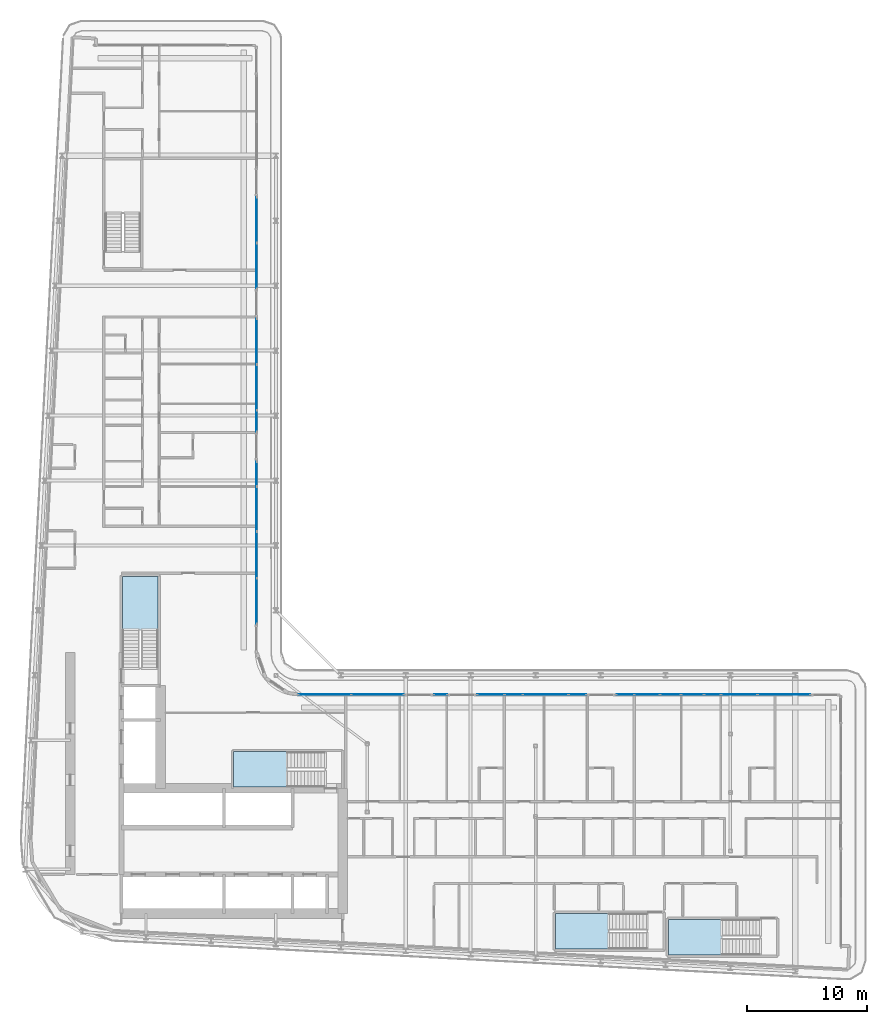
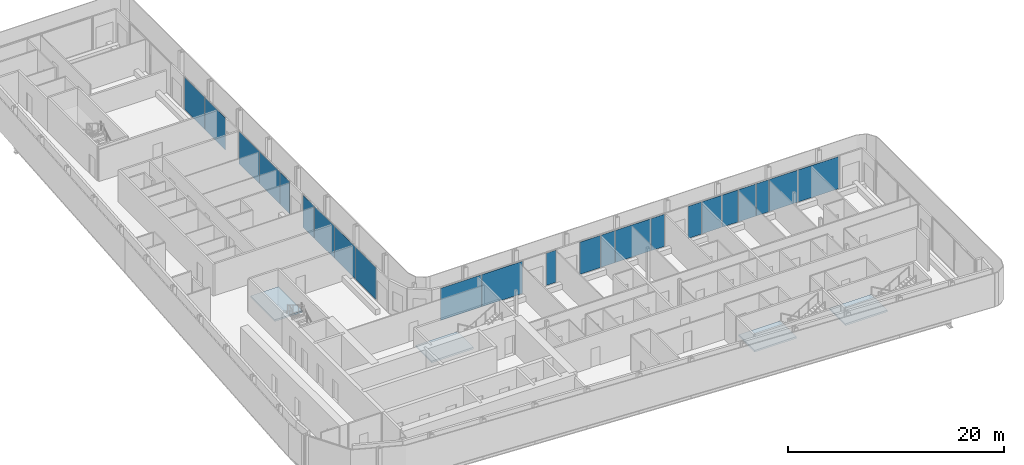
# One storey, part 12 of 30: 23 plates, 4 slabs, 15 elements without a shape of their own.
"""IFC4 building model written with IfcOpenShell, lengths in metres."""

from ifc_helpers import new_model, si_unit, direction, frame, origin, origin_2d, place, context, subcontext, project, spatial, polyline, rectangle, outline, extrude, material, layer, layer_set, type_object, element, aggregate, save


model = new_model("IFC4")

# Units and contexts
model_context = context("Model", 3, precision=1e-05, world=origin(), true_north=direction((0.0, 1.0)))
body_context = subcontext(model_context, "Body", "Model", "MODEL_VIEW")
ifc_project = project(units=[si_unit("LENGTHUNIT", "METRE"), si_unit("AREAUNIT", "SQUARE_METRE"), si_unit("VOLUMEUNIT", "CUBIC_METRE"), si_unit("PLANEANGLEUNIT", "RADIAN"), si_unit("MASSUNIT", "GRAM", prefix="KILO")], contexts=[model_context])

# Site, building, storey
site_placement = place(None, origin())
site = spatial("IfcSite", under=ifc_project, at=site_placement, CompositionType="ELEMENT")
building_placement = place(site_placement, origin())
building = spatial("IfcBuilding", under=site, at=building_placement, Name="Kheshtan School and Residences Tower", CompositionType="ELEMENT")
storey_placement = place(building_placement, frame((0.0, 0.0, 164.300048828125)))
storey = spatial("IfcBuildingStorey", under=building, at=storey_placement, Name="L38", CompositionType="ELEMENT", Elevation=164.300048828125)

# Curtain wall, plates
ifc_material_1 = material(Name="Clear low-e glass in thermally broken aluminium frame", Category="aluminium")
ifc_layer_1 = layer(ifc_material_1, 0.199951171875)
ifc_layer_set_1 = layer_set([ifc_layer_1], Name="Curtain wall CW-L")
curtain_wall_type = type_object("IfcCurtainWallType", Name="Curtain wall CW-L", PredefinedType="NOTDEFINED", material=ifc_layer_set_1)
curtain_wall_1_placement = place(storey_placement, origin())
curtain_wall_1 = element("IfcCurtainWall", 1, at=curtain_wall_1_placement, inside=storey, type_object=curtain_wall_type, Name="Curtain wall CWL8", PredefinedType="NOTDEFINED")
ifc_layer_2 = layer(ifc_material_1, 0.031982421875)
ifc_layer_set_2 = layer_set([ifc_layer_2], Name="CW-L glass panel")
plate_type = type_object("IfcPlateType", Name="CW-L glass panel", PredefinedType="CURTAIN_PANEL", material=ifc_layer_set_2)
plate_1_placement = place(storey_placement, frame((46.0, 83.467529296875, 0.0), z_axis=(0.0, 0.0, 1.0), x_axis=(0.0, -1.0, 0.0)))
plate_1 = element("IfcPlate", 2, at=plate_1_placement, type_object=plate_type, Name="CWL8 panel 1.1", PredefinedType="CURTAIN_PANEL", context=body_context, shape_type="SweptSolid", body=[
    extrude(rectangle(XDim=3.757080078125, YDim=0.031982421875, at=origin_2d()), origin(), (0.0, 0.0, 1.0), 3.6298828125),
])
plate_2_placement = place(storey_placement, frame((46.0, 79.650390625, 0.0), z_axis=(0.0, 0.0, 1.0), x_axis=(0.0, -1.0, 0.0)))
plate_2 = element("IfcPlate", 3, at=plate_2_placement, type_object=plate_type, Name="CWL8 panel 2.1", PredefinedType="CURTAIN_PANEL", context=body_context, shape_type="SweptSolid", body=[
    extrude(rectangle(XDim=3.757080078125, YDim=0.031982421875, at=origin_2d()), origin(), (0.0, 0.0, 1.0), 3.6298828125),
])
aggregate(curtain_wall_1, [plate_1, plate_2])

curtain_wall_2_placement = place(storey_placement, origin())
curtain_wall_2 = element("IfcCurtainWall", 4, at=curtain_wall_2_placement, inside=storey, type_object=curtain_wall_type, Name="Curtain wall CWL8", PredefinedType="NOTDEFINED")
plate_3_placement = place(storey_placement, frame((46.0, 73.37353515625, 0.0), z_axis=(0.0, 0.0, 1.0), x_axis=(0.0, -1.0, 0.0)))
plate_3 = element("IfcPlate", 5, at=plate_3_placement, type_object=plate_type, Name="CWL8 panel 1.1", PredefinedType="CURTAIN_PANEL", context=body_context, shape_type="SweptSolid", body=[
    extrude(rectangle(XDim=3.757080078125, YDim=0.031982421875, at=origin_2d()), origin(), (0.0, 0.0, 1.0), 3.6298828125),
])
plate_4_placement = place(storey_placement, frame((46.0, 69.556396484375, 0.0), z_axis=(0.0, 0.0, 1.0), x_axis=(0.0, -1.0, 0.0)))
plate_4 = element("IfcPlate", 6, at=plate_4_placement, type_object=plate_type, Name="CWL8 panel 2.1", PredefinedType="CURTAIN_PANEL", context=body_context, shape_type="SweptSolid", body=[
    extrude(rectangle(XDim=3.757080078125, YDim=0.031982421875, at=origin_2d()), origin(), (0.0, 0.0, 1.0), 3.6298828125),
])
aggregate(curtain_wall_2, [plate_3, plate_4])

# Curtain wall, plate
curtain_wall_3_placement = place(storey_placement, origin())
curtain_wall_3 = element("IfcCurtainWall", 7, at=curtain_wall_3_placement, inside=storey, type_object=curtain_wall_type, Name="Curtain wall CWL8e", PredefinedType="NOTDEFINED")
plate_5_placement = place(storey_placement, frame((46.0, 66.748046875, 0.0), z_axis=(0.0, 0.0, 1.0), x_axis=(0.0, -1.0, 0.0)))
plate_5 = element("IfcPlate", 8, at=plate_5_placement, type_object=plate_type, Name="CWL8e panel 1.1", PredefinedType="CURTAIN_PANEL", context=body_context, shape_type="SweptSolid", body=[
    extrude(rectangle(XDim=1.739990234375, YDim=0.031982421875, at=origin_2d()), origin(), (0.0, 0.0, 1.0), 3.6298828125),
])
aggregate(curtain_wall_3, [plate_5])

# Curtain wall, plates
curtain_wall_4_placement = place(storey_placement, origin())
curtain_wall_4 = element("IfcCurtainWall", 9, at=curtain_wall_4_placement, inside=storey, type_object=curtain_wall_type, Name="Curtain wall CWL8m", PredefinedType="NOTDEFINED")
plate_6_placement = place(storey_placement, frame((46.0, 62.343994140625, 0.0), z_axis=(0.0, 0.0, 1.0), x_axis=(0.0, -1.0, 0.0)))
plate_6 = element("IfcPlate", 10, at=plate_6_placement, type_object=plate_type, Name="CWL8m panel 1.1", PredefinedType="CURTAIN_PANEL", context=body_context, shape_type="SweptSolid", body=[
    extrude(rectangle(XDim=2.028076171875, YDim=0.031982421875, at=origin_2d()), origin(), (0.0, 0.0, 1.0), 3.6298828125),
])
plate_7_placement = place(storey_placement, frame((46.0, 59.427001953125, 0.0), z_axis=(0.0, 0.0, 1.0), x_axis=(0.0, -1.0, 0.0)))
plate_7 = element("IfcPlate", 11, at=plate_7_placement, type_object=plate_type, Name="CWL8m panel 2.1", PredefinedType="CURTAIN_PANEL", context=body_context, shape_type="SweptSolid", body=[
    extrude(rectangle(XDim=3.68603515625, YDim=0.031982421875, at=origin_2d()), origin(), (0.0, 0.0, 1.0), 3.6298828125),
])
aggregate(curtain_wall_4, [plate_6, plate_7])

curtain_wall_5_placement = place(storey_placement, origin())
curtain_wall_5 = element("IfcCurtainWall", 12, at=curtain_wall_5_placement, inside=storey, type_object=curtain_wall_type, Name="Curtain wall CWL8", PredefinedType="NOTDEFINED")
plate_8_placement = place(storey_placement, frame((46.0, 55.615478515625, 0.0), z_axis=(0.0, 0.0, 1.0), x_axis=(0.0, -1.0, 0.0)))
plate_8 = element("IfcPlate", 13, at=plate_8_placement, type_object=plate_type, Name="CWL8 panel 1.1", PredefinedType="CURTAIN_PANEL", context=body_context, shape_type="SweptSolid", body=[
    extrude(rectangle(XDim=3.81689453125, YDim=0.031982421875, at=origin_2d()), origin(), (0.0, 0.0, 1.0), 3.6298828125),
])
plate_9_placement = place(storey_placement, frame((46.0, 51.7685546875, 0.0), z_axis=(0.0, 0.0, 1.0), x_axis=(0.0, -1.0, 0.0)))
plate_9 = element("IfcPlate", 14, at=plate_9_placement, type_object=plate_type, Name="CWL8 panel 2.1", PredefinedType="CURTAIN_PANEL", context=body_context, shape_type="SweptSolid", body=[
    extrude(rectangle(XDim=3.757080078125, YDim=0.031982421875, at=origin_2d()), origin(), (0.0, 0.0, 1.0), 3.6298828125),
])
aggregate(curtain_wall_5, [plate_8, plate_9])

curtain_wall_6_placement = place(storey_placement, origin())
curtain_wall_6 = element("IfcCurtainWall", 15, at=curtain_wall_6_placement, inside=storey, type_object=curtain_wall_type, Name="Curtain wall CWL12f", PredefinedType="NOTDEFINED")
plate_10_placement = place(storey_placement, frame((51.661865234375, 44.0, 0.0), z_axis=(0.0, 0.0, 1.0), x_axis=(1.0, 0.0, 0.0)))
plate_10 = element("IfcPlate", 16, at=plate_10_placement, type_object=plate_type, Name="CWL12f panel 1.1", PredefinedType="CURTAIN_PANEL", context=body_context, shape_type="SweptSolid", body=[
    extrude(rectangle(XDim=4.34375, YDim=0.031982421875, at=origin_2d()), origin(), (0.0, 0.0, 1.0), 3.6298828125),
])
plate_11_placement = place(storey_placement, frame((56.065673828125, 44.0, 0.0), z_axis=(0.0, 0.0, 1.0), x_axis=(1.0, 0.0, 0.0)))
plate_11 = element("IfcPlate", 17, at=plate_11_placement, type_object=plate_type, Name="CWL12f panel 2.1", PredefinedType="CURTAIN_PANEL", context=body_context, shape_type="SweptSolid", body=[
    extrude(rectangle(XDim=4.34375, YDim=0.031982421875, at=origin_2d()), origin(), (0.0, 0.0, 1.0), 3.6298828125),
])
aggregate(curtain_wall_6, [plate_10, plate_11])

# Curtain wall, plate
curtain_wall_7_placement = place(storey_placement, origin())
curtain_wall_7 = element("IfcCurtainWall", 18, at=curtain_wall_7_placement, inside=storey, type_object=curtain_wall_type, Name="Curtain wall CWL12b", PredefinedType="NOTDEFINED")
plate_12_placement = place(storey_placement, frame((61.297607421875, 44.0, 0.0), z_axis=(0.0, 0.0, 1.0), x_axis=(1.0, 0.0, 0.0)))
plate_12 = element("IfcPlate", 19, at=plate_12_placement, type_object=plate_type, Name="CWL12b panel 1.1", PredefinedType="CURTAIN_PANEL", context=body_context, shape_type="SweptSolid", body=[
    extrude(rectangle(XDim=1.080078125, YDim=0.031982421875, at=origin_2d()), origin(), (0.0, 0.0, 1.0), 3.6298828125),
])
aggregate(curtain_wall_7, [plate_12])

# Curtain wall, plates
curtain_wall_8_placement = place(storey_placement, origin())
curtain_wall_8 = element("IfcCurtainWall", 20, at=curtain_wall_8_placement, inside=storey, type_object=curtain_wall_type, Name="Curtain wall CWL12v", PredefinedType="NOTDEFINED")
plate_13_placement = place(storey_placement, frame((65.4638671875, 44.0, 0.0), z_axis=(0.0, 0.0, 1.0), x_axis=(1.0, 0.0, 0.0)))
plate_13 = element("IfcPlate", 21, at=plate_13_placement, type_object=plate_type, Name="CWL12v panel 1.1", PredefinedType="CURTAIN_PANEL", context=body_context, shape_type="SweptSolid", body=[
    extrude(rectangle(XDim=2.21240234375, YDim=0.031982421875, at=origin_2d()), origin(), (0.0, 0.0, 1.0), 3.6298828125),
])
plate_14_placement = place(storey_placement, frame((67.36572265625, 44.0, 0.0), z_axis=(0.0, 0.0, 1.0), x_axis=(1.0, 0.0, 0.0)))
plate_14 = element("IfcPlate", 22, at=plate_14_placement, type_object=plate_type, Name="CWL12v panel 2.1", PredefinedType="CURTAIN_PANEL", context=body_context, shape_type="SweptSolid", body=[
    extrude(rectangle(XDim=1.47119140625, YDim=0.031982421875, at=origin_2d()), origin(), (0.0, 0.0, 1.0), 3.6298828125),
])
plate_15_placement = place(storey_placement, frame((70.033203125, 44.0, 0.0), z_axis=(0.0, 0.0, 1.0), x_axis=(1.0, 0.0, 0.0)))
plate_15 = element("IfcPlate", 23, at=plate_15_placement, type_object=plate_type, Name="CWL12v panel 3.1", PredefinedType="CURTAIN_PANEL", context=body_context, shape_type="SweptSolid", body=[
    extrude(rectangle(XDim=3.74365234375, YDim=0.031982421875, at=origin_2d()), origin(), (0.0, 0.0, 1.0), 3.6298828125),
])
aggregate(curtain_wall_8, [plate_13, plate_14, plate_15])

# Curtain wall, plate
curtain_wall_9_placement = place(storey_placement, origin())
curtain_wall_9 = element("IfcCurtainWall", 24, at=curtain_wall_9_placement, inside=storey, type_object=curtain_wall_type, Name="Curtain wall CWL12w", PredefinedType="NOTDEFINED")
plate_16_placement = place(storey_placement, frame((72.68505859375, 44.0, 0.0), z_axis=(0.0, 0.0, 1.0), x_axis=(1.0, 0.0, 0.0)))
plate_16 = element("IfcPlate", 25, at=plate_16_placement, type_object=plate_type, Name="CWL12w panel 1.1", PredefinedType="CURTAIN_PANEL", context=body_context, shape_type="SweptSolid", body=[
    extrude(rectangle(XDim=1.43994140625, YDim=0.031982421875, at=origin_2d()), origin(), (0.0, 0.0, 1.0), 3.6298828125),
])
aggregate(curtain_wall_9, [plate_16])

# Curtain wall, plates
curtain_wall_10_placement = place(storey_placement, origin())
curtain_wall_10 = element("IfcCurtainWall", 26, at=curtain_wall_10_placement, inside=storey, type_object=curtain_wall_type, Name="Curtain wall CWL12x", PredefinedType="NOTDEFINED")
plate_17_placement = place(storey_placement, frame((76.6474609375, 44.0, 0.0), z_axis=(0.0, 0.0, 1.0), x_axis=(1.0, 0.0, 0.0)))
plate_17 = element("IfcPlate", 27, at=plate_17_placement, type_object=plate_type, Name="CWL12x panel 1.1", PredefinedType="CURTAIN_PANEL", context=body_context, shape_type="SweptSolid", body=[
    extrude(rectangle(XDim=1.445068359375, YDim=0.031982421875, at=origin_2d()), origin(), (0.0, 0.0, 1.0), 3.6298828125),
])
plate_18_placement = place(storey_placement, frame((78.474365234375, 44.0, 0.0), z_axis=(0.0, 0.0, 1.0), x_axis=(1.0, 0.0, 0.0)))
plate_18 = element("IfcPlate", 28, at=plate_18_placement, type_object=plate_type, Name="CWL12x panel 2.1", PredefinedType="CURTAIN_PANEL", context=body_context, shape_type="SweptSolid", body=[
    extrude(rectangle(XDim=2.0888671875, YDim=0.031982421875, at=origin_2d()), origin(), (0.0, 0.0, 1.0), 3.6298828125),
])
plate_19_placement = place(storey_placement, frame((80.42431640625, 44.0, 0.0), z_axis=(0.0, 0.0, 1.0), x_axis=(1.0, 0.0, 0.0)))
plate_19 = element("IfcPlate", 29, at=plate_19_placement, type_object=plate_type, Name="CWL12x panel 3.1", PredefinedType="CURTAIN_PANEL", context=body_context, shape_type="SweptSolid", body=[
    extrude(rectangle(XDim=1.691162109375, YDim=0.031982421875, at=origin_2d()), origin(), (0.0, 0.0, 1.0), 3.6298828125),
])
plate_20_placement = place(storey_placement, frame((82.251220703125, 44.0, 0.0), z_axis=(0.0, 0.0, 1.0), x_axis=(1.0, 0.0, 0.0)))
plate_20 = element("IfcPlate", 30, at=plate_20_placement, type_object=plate_type, Name="CWL12x panel 4.1", PredefinedType="CURTAIN_PANEL", context=body_context, shape_type="SweptSolid", body=[
    extrude(rectangle(XDim=1.842529296875, YDim=0.031982421875, at=origin_2d()), origin(), (0.0, 0.0, 1.0), 3.6298828125),
])
aggregate(curtain_wall_10, [plate_17, plate_18, plate_19, plate_20])

curtain_wall_11_placement = place(storey_placement, origin())
curtain_wall_11 = element("IfcCurtainWall", 31, at=curtain_wall_11_placement, inside=storey, type_object=curtain_wall_type, Name="Curtain wall CWL12y", PredefinedType="NOTDEFINED")
plate_21_placement = place(storey_placement, frame((83.9013671875, 44.0, 0.0), z_axis=(0.0, 0.0, 1.0), x_axis=(1.0, 0.0, 0.0)))
plate_21 = element("IfcPlate", 32, at=plate_21_placement, type_object=plate_type, Name="CWL12y panel 1.1", PredefinedType="CURTAIN_PANEL", context=body_context, shape_type="SweptSolid", body=[
    extrude(rectangle(XDim=1.33740234375, YDim=0.031982421875, at=origin_2d()), origin(), (0.0, 0.0, 1.0), 3.6298828125),
])
plate_22_placement = place(storey_placement, frame((86.133056640625, 44.0, 0.0), z_axis=(0.0, 0.0, 1.0), x_axis=(1.0, 0.0, 0.0)))
plate_22 = element("IfcPlate", 33, at=plate_22_placement, type_object=plate_type, Name="CWL12y panel 2.1", PredefinedType="CURTAIN_PANEL", context=body_context, shape_type="SweptSolid", body=[
    extrude(rectangle(XDim=3.00634765625, YDim=0.031982421875, at=origin_2d()), origin(), (0.0, 0.0, 1.0), 3.6298828125),
])
plate_23_placement = place(storey_placement, frame((89.8681640625, 44.0, 0.0), z_axis=(0.0, 0.0, 1.0), x_axis=(1.0, 0.0, 0.0)))
plate_23 = element("IfcPlate", 34, at=plate_23_placement, type_object=plate_type, Name="CWL12y panel 3.1", PredefinedType="CURTAIN_PANEL", context=body_context, shape_type="SweptSolid", body=[
    extrude(rectangle(XDim=4.34375, YDim=0.031982421875, at=origin_2d()), origin(), (0.0, 0.0, 1.0), 3.6298828125),
])
aggregate(curtain_wall_11, [plate_21, plate_22, plate_23])

# Stair, slab
ifc_material_2 = material(Name="Concrete C40/50", Category="concrete")
stair_type = type_object("IfcStairType", Name="Exit stair, half-turn", PredefinedType="HALF_TURN_STAIR", material=ifc_material_2)
stair_1_placement = place(storey_placement, origin())
stair_1 = element("IfcStair", 35, at=stair_1_placement, inside=storey, type_object=stair_type, Name="L38 Protected Exit Stair ST1", PredefinedType="HALF_TURN_STAIR")
ifc_layer_3 = layer(ifc_material_2, 0.199951171875)
ifc_layer_set_3 = layer_set([ifc_layer_3], Name="Stair landing 200 Concrete C40/50")
slab_type = type_object("IfcSlabType", Name="Stair landing 200 Concrete C40/50", PredefinedType="LANDING", material=ifc_layer_set_3)
slab_1_placement = place(storey_placement, frame((0.0, 0.0, 1.75)))
slab_1 = element("IfcSlab", 36, at=slab_1_placement, type_object=slab_type, Name="ST1 landing 1", PredefinedType="LANDING", context=body_context, shape_type="SweptSolid", body=[
    extrude(outline(polyline([(48.570068359375, 39.25), (44.090087890625, 39.25), (44.090087890625, 36.300048828125), (48.570068359375, 36.300048828125), (48.570068359375, 39.25)])), origin(), (0.0, 0.0, 1.0), 0.199951171875),
])
aggregate(stair_1, [slab_1])

stair_2_placement = place(storey_placement, origin())
stair_2 = element("IfcStair", 37, at=stair_2_placement, inside=storey, type_object=stair_type, Name="L38 Protected Exit Stair ST2", PredefinedType="HALF_TURN_STAIR")
slab_2_placement = place(storey_placement, frame((0.0, 0.0, 1.75)))
slab_2 = element("IfcSlab", 38, at=slab_2_placement, type_object=slab_type, Name="ST2 landing 1", PredefinedType="LANDING", context=body_context, shape_type="SweptSolid", body=[
    extrude(outline(polyline([(37.800048828125, 49.330078125), (37.800048828125, 53.81005859375), (34.85009765625, 53.81005859375), (34.85009765625, 49.330078125), (37.800048828125, 49.330078125)])), origin(), (0.0, 0.0, 1.0), 0.199951171875),
])
aggregate(stair_2, [slab_2])

stair_3_placement = place(storey_placement, origin())
stair_3 = element("IfcStair", 39, at=stair_3_placement, inside=storey, type_object=stair_type, Name="L38 Protected Exit Stair ST4", PredefinedType="HALF_TURN_STAIR")
slab_3_placement = place(storey_placement, frame((0.0, 0.0, 1.75)))
slab_3 = element("IfcSlab", 40, at=slab_3_placement, type_object=slab_type, Name="ST4 landing 1", PredefinedType="LANDING", context=body_context, shape_type="SweptSolid", body=[
    extrude(outline(polyline([(84.739990234375, 25.300048828125), (80.260009765625, 25.300048828125), (80.260009765625, 22.35009765625), (84.739990234375, 22.35009765625), (84.739990234375, 25.300048828125)])), origin(), (0.0, 0.0, 1.0), 0.199951171875),
])
aggregate(stair_3, [slab_3])

stair_4_placement = place(storey_placement, origin())
stair_4 = element("IfcStair", 41, at=stair_4_placement, inside=storey, type_object=stair_type, Name="L38 Protected Exit Stair ST5", PredefinedType="HALF_TURN_STAIR")
slab_4_placement = place(storey_placement, frame((0.0, 0.0, 1.75)))
slab_4 = element("IfcSlab", 42, at=slab_4_placement, type_object=slab_type, Name="ST5 landing 1", PredefinedType="LANDING", context=body_context, shape_type="SweptSolid", body=[
    extrude(outline(polyline([(75.330078125, 25.800048828125), (70.85009765625, 25.800048828125), (70.85009765625, 22.85009765625), (75.330078125, 22.85009765625), (75.330078125, 25.800048828125)])), origin(), (0.0, 0.0, 1.0), 0.199951171875),
])
aggregate(stair_4, [slab_4])

save(model, "model.ifc")
